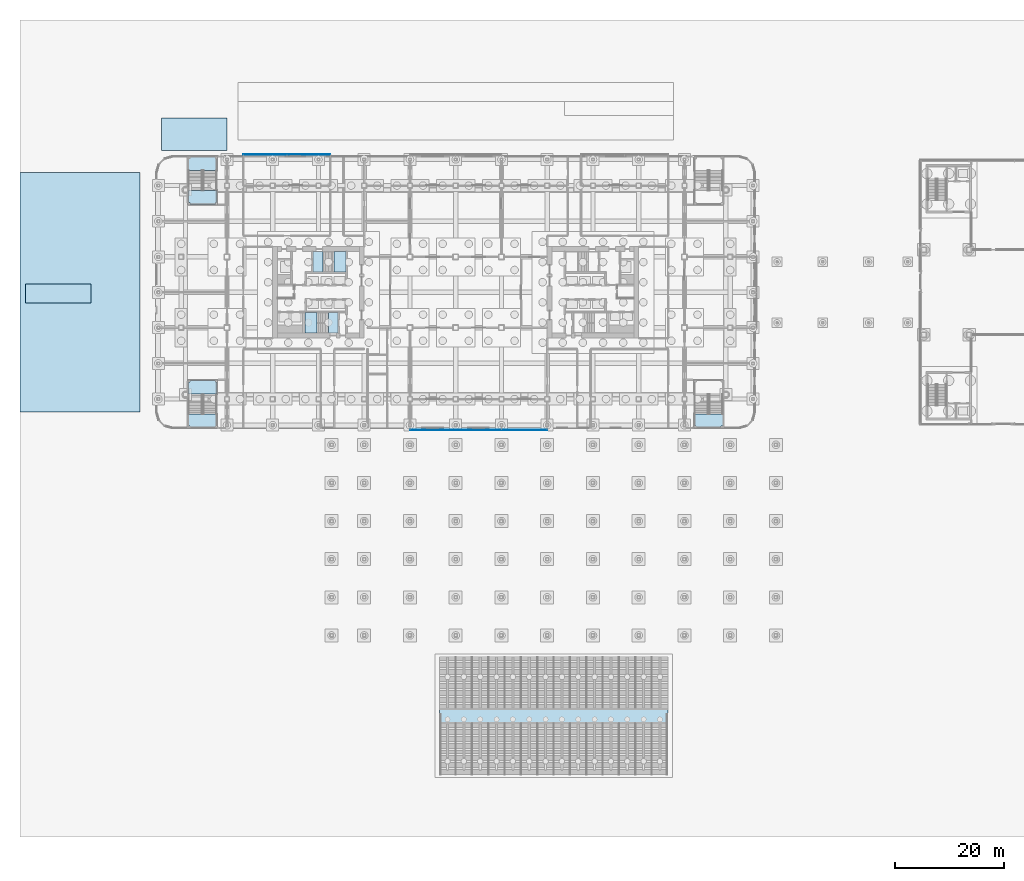
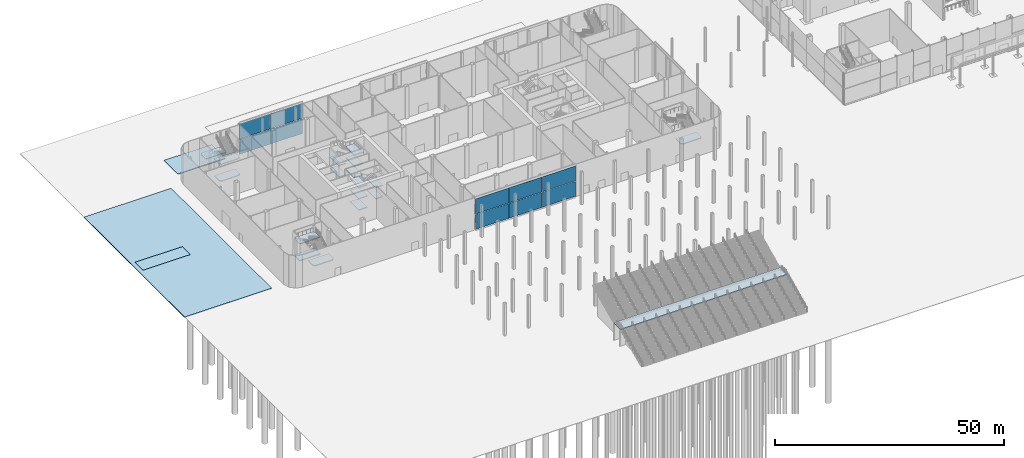
# One storey, part 30 of 113: 21 slabs, 10 plates, 8 elements without a shape of their own.
"""IFC4 building model written with IfcOpenShell, lengths in metres."""

from ifc_helpers import new_model, si_unit, direction, frame, origin, origin_2d, place, context, subcontext, project, spatial, polyline, rectangle, outline, extrude, material, layer, layer_set, type_object, element, aggregate, save


model = new_model("IFC4")

# Units and contexts
model_context = context("Model", 3, precision=1e-05, world=origin(), true_north=direction((0.0, 1.0)))
body_context = subcontext(model_context, "Body", "Model", "MODEL_VIEW")
ifc_project = project(units=[si_unit("LENGTHUNIT", "METRE"), si_unit("AREAUNIT", "SQUARE_METRE"), si_unit("VOLUMEUNIT", "CUBIC_METRE"), si_unit("PLANEANGLEUNIT", "RADIAN"), si_unit("MASSUNIT", "GRAM", prefix="KILO")], contexts=[model_context])

# Site, building, storey
site_placement = place(None, origin())
site = spatial("IfcSite", under=ifc_project, at=site_placement, CompositionType="ELEMENT")
building_placement = place(site_placement, origin())
building = spatial("IfcBuilding", under=site, at=building_placement, Name="Hakoniwa Tower and Hamabe Station Hall", CompositionType="ELEMENT")
storey_placement = place(building_placement, origin())
storey = spatial("IfcBuildingStorey", under=building, at=storey_placement, Name="L01", CompositionType="ELEMENT", Elevation=0.0)

# Stair, slabs
ifc_material_1 = material(Name="Concrete C40", Category="concrete")
stair_type_1 = type_object("IfcStairType", Name="ESCAPE STAIR 1800", PredefinedType="HALF_TURN_STAIR", material=ifc_material_1)
stair_1_placement = place(storey_placement, origin())
stair_1 = element("IfcStair", 1, at=stair_1_placement, inside=storey, type_object=stair_type_1, Name="Escape stair ST-1 L01", PredefinedType="HALF_TURN_STAIR")
ifc_material_2 = material(Name="Concrete C40", Category="concrete")
ifc_layer_1 = layer(ifc_material_2, 0.25)
ifc_layer_set_1 = layer_set([ifc_layer_1], Name="CORE STAIR LANDING 250")
slab_type_1 = type_object("IfcSlabType", Name="CORE STAIR LANDING 250", PredefinedType="LANDING", material=ifc_layer_set_1)
slab_1_placement = place(storey_placement, frame((0.0, 0.0, 1.25)))
slab_1 = element("IfcSlab", 2, at=slab_1_placement, type_object=slab_type_1, Name="ST-1 landing 1", PredefinedType="LANDING", context=body_context, shape_type="SweptSolid", body=[
    extrude(outline(polyline([(-22.320068359375, 3.75), (-20.14990234375, 3.75), (-20.14990234375, 7.5), (-22.320068359375, 7.5), (-22.320068359375, 3.75)])), origin(), (0.0, 0.0, 1.0), 0.25),
])
slab_2_placement = place(storey_placement, frame((0.0, 0.0, 2.75)))
slab_2 = element("IfcSlab", 3, at=slab_2_placement, type_object=slab_type_1, Name="ST-1 landing 2", PredefinedType="LANDING", context=body_context, shape_type="SweptSolid", body=[
    extrude(outline(polyline([(-26.199951171875, 3.75), (-24.39990234375, 3.75), (-24.39990234375, 7.5), (-26.199951171875, 7.5), (-26.199951171875, 3.75)])), origin(), (0.0, 0.0, 1.0), 0.25),
])
slab_3_placement = place(storey_placement, frame((0.0, 0.0, 4.25)))
slab_3 = element("IfcSlab", 4, at=slab_3_placement, type_object=slab_type_1, Name="ST-1 landing 3", PredefinedType="LANDING", context=body_context, shape_type="SweptSolid", body=[
    extrude(outline(polyline([(-22.320068359375, 3.75), (-20.14990234375, 3.75), (-20.14990234375, 7.5), (-22.320068359375, 7.5), (-22.320068359375, 3.75)])), origin(), (0.0, 0.0, 1.0), 0.25),
])
slab_4_placement = place(storey_placement, frame((0.0, 0.0, 5.75)))
slab_4 = element("IfcSlab", 5, at=slab_4_placement, type_object=slab_type_1, Name="ST-1 landing 4", PredefinedType="LANDING", context=body_context, shape_type="SweptSolid", body=[
    extrude(outline(polyline([(-26.199951171875, 3.75), (-24.39990234375, 3.75), (-24.39990234375, 7.5), (-26.199951171875, 7.5), (-26.199951171875, 3.75)])), origin(), (0.0, 0.0, 1.0), 0.25),
])
slab_5_placement = place(storey_placement, frame((0.0, 0.0, 7.25)))
slab_5 = element("IfcSlab", 6, at=slab_5_placement, type_object=slab_type_1, Name="ST-1 landing 5", PredefinedType="LANDING", context=body_context, shape_type="SweptSolid", body=[
    extrude(outline(polyline([(-22.320068359375, 3.75), (-20.14990234375, 3.75), (-20.14990234375, 7.5), (-22.320068359375, 7.5), (-22.320068359375, 3.75)])), origin(), (0.0, 0.0, 1.0), 0.25),
])
aggregate(stair_1, [slab_1, slab_2, slab_3, slab_4, slab_5])

stair_2_placement = place(storey_placement, origin())
stair_2 = element("IfcStair", 7, at=stair_2_placement, inside=storey, type_object=stair_type_1, Name="Escape stair ST-2 L01", PredefinedType="HALF_TURN_STAIR")
slab_6_placement = place(storey_placement, frame((0.0, 0.0, 1.25)))
slab_6 = element("IfcSlab", 8, at=slab_6_placement, type_object=slab_type_1, Name="ST-2 landing 1", PredefinedType="LANDING", context=body_context, shape_type="SweptSolid", body=[
    extrude(outline(polyline([(-25.47998046875, -7.5), (-27.64990234375, -7.5), (-27.64990234375, -3.75), (-25.47998046875, -3.75), (-25.47998046875, -7.5)])), origin(), (0.0, 0.0, 1.0), 0.25),
])
slab_7_placement = place(storey_placement, frame((0.0, 0.0, 2.75)))
slab_7 = element("IfcSlab", 9, at=slab_7_placement, type_object=slab_type_1, Name="ST-2 landing 2", PredefinedType="LANDING", context=body_context, shape_type="SweptSolid", body=[
    extrude(outline(polyline([(-21.60009765625, -7.5), (-23.39990234375, -7.5), (-23.39990234375, -3.75), (-21.60009765625, -3.75), (-21.60009765625, -7.5)])), origin(), (0.0, 0.0, 1.0), 0.25),
])
slab_8_placement = place(storey_placement, frame((0.0, 0.0, 4.25)))
slab_8 = element("IfcSlab", 10, at=slab_8_placement, type_object=slab_type_1, Name="ST-2 landing 3", PredefinedType="LANDING", context=body_context, shape_type="SweptSolid", body=[
    extrude(outline(polyline([(-25.47998046875, -7.5), (-27.64990234375, -7.5), (-27.64990234375, -3.75), (-25.47998046875, -3.75), (-25.47998046875, -7.5)])), origin(), (0.0, 0.0, 1.0), 0.25),
])
slab_9_placement = place(storey_placement, frame((0.0, 0.0, 5.75)))
slab_9 = element("IfcSlab", 11, at=slab_9_placement, type_object=slab_type_1, Name="ST-2 landing 4", PredefinedType="LANDING", context=body_context, shape_type="SweptSolid", body=[
    extrude(outline(polyline([(-21.60009765625, -7.5), (-23.39990234375, -7.5), (-23.39990234375, -3.75), (-21.60009765625, -3.75), (-21.60009765625, -7.5)])), origin(), (0.0, 0.0, 1.0), 0.25),
])
slab_10_placement = place(storey_placement, frame((0.0, 0.0, 7.25)))
slab_10 = element("IfcSlab", 12, at=slab_10_placement, type_object=slab_type_1, Name="ST-2 landing 5", PredefinedType="LANDING", context=body_context, shape_type="SweptSolid", body=[
    extrude(outline(polyline([(-25.47998046875, -7.5), (-27.64990234375, -7.5), (-27.64990234375, -3.75), (-25.47998046875, -3.75), (-25.47998046875, -7.5)])), origin(), (0.0, 0.0, 1.0), 0.25),
])
aggregate(stair_2, [slab_6, slab_7, slab_8, slab_9, slab_10])

# Curtain wall, plates
ifc_material_3 = material(Name="Dark low-e laminated glass", Category="glass")
ifc_layer_2 = layer(ifc_material_3, 0.199951171875)
ifc_layer_set_2 = layer_set([ifc_layer_2], Name="CW-3 PODIUM LOBBY")
curtain_wall_type = type_object("IfcCurtainWallType", Name="CW-3 PODIUM LOBBY", PredefinedType="NOTDEFINED", material=ifc_layer_set_2)
curtain_wall_1_placement = place(storey_placement, origin())
curtain_wall_1 = element("IfcCurtainWall", 13, at=curtain_wall_1_placement, inside=storey, type_object=curtain_wall_type, Name="Podium curtain wall L01 north 1", PredefinedType="NOTDEFINED")
ifc_material_4 = material(Name="Dark low-e laminated glass", Category="glass")
ifc_layer_3 = layer(ifc_material_4, 0.0380859375)
ifc_layer_set_3 = layer_set([ifc_layer_3], Name="CW-3 LOBBY GLASS UNIT")
plate_type = type_object("IfcPlateType", Name="CW-3 LOBBY GLASS UNIT", PredefinedType="CURTAIN_PANEL", material=ifc_layer_set_3)
plate_1_placement = place(storey_placement, frame((-27.0, 25.285888671875, 0.35009765625), z_axis=(0.0, 0.0, 1.0), x_axis=(-1.0, 0.0, 0.0)))
plate_1 = element("IfcPlate", 14, at=plate_1_placement, type_object=plate_type, Name="CW-3 glass unit", PredefinedType="CURTAIN_PANEL", context=body_context, shape_type="SweptSolid", body=[
    extrude(rectangle(XDim=7.97998046875, YDim=0.0380859375, at=origin_2d()), origin(), (0.0, 0.0, 1.0), 3.989990234375),
])
plate_2_placement = place(storey_placement, frame((-27.0, 25.285888671875, 4.4599609375), z_axis=(0.0, 0.0, 1.0), x_axis=(-1.0, 0.0, 0.0)))
plate_2 = element("IfcPlate", 15, at=plate_2_placement, type_object=plate_type, Name="CW-3 glass unit", PredefinedType="CURTAIN_PANEL", context=body_context, shape_type="SweptSolid", body=[
    extrude(rectangle(XDim=7.97998046875, YDim=0.0380859375, at=origin_2d()), origin(), (0.0, 0.0, 1.0), 3.989990234375),
])
plate_3_placement = place(storey_placement, frame((-35.0, 25.285888671875, 0.35009765625), z_axis=(0.0, 0.0, 1.0), x_axis=(-1.0, 0.0, 0.0)))
plate_3 = element("IfcPlate", 16, at=plate_3_placement, type_object=plate_type, Name="CW-3 glass unit", PredefinedType="CURTAIN_PANEL", context=body_context, shape_type="SweptSolid", body=[
    extrude(rectangle(XDim=7.97998046875, YDim=0.0380859375, at=origin_2d()), origin(), (0.0, 0.0, 1.0), 3.989990234375),
])
plate_4_placement = place(storey_placement, frame((-35.0, 25.285888671875, 4.4599609375), z_axis=(0.0, 0.0, 1.0), x_axis=(-1.0, 0.0, 0.0)))
plate_4 = element("IfcPlate", 17, at=plate_4_placement, type_object=plate_type, Name="CW-3 glass unit", PredefinedType="CURTAIN_PANEL", context=body_context, shape_type="SweptSolid", body=[
    extrude(rectangle(XDim=7.97998046875, YDim=0.0380859375, at=origin_2d()), origin(), (0.0, 0.0, 1.0), 3.989990234375),
])
aggregate(curtain_wall_1, [plate_1, plate_2, plate_3, plate_4])

curtain_wall_2_placement = place(storey_placement, origin())
curtain_wall_2 = element("IfcCurtainWall", 18, at=curtain_wall_2_placement, inside=storey, type_object=curtain_wall_type, Name="Podium curtain wall L01 south 4", PredefinedType="NOTDEFINED")
plate_5_placement = place(storey_placement, frame((-4.199951171875, -25.285888671875, 0.35009765625), z_axis=(0.0, 0.0, 1.0), x_axis=(1.0, 0.0, 0.0)))
plate_5 = element("IfcPlate", 19, at=plate_5_placement, type_object=plate_type, Name="CW-3 glass unit", PredefinedType="CURTAIN_PANEL", context=body_context, shape_type="SweptSolid", body=[
    extrude(rectangle(XDim=8.3798828125, YDim=0.0380859375, at=origin_2d()), origin(), (0.0, 0.0, 1.0), 3.989990234375),
])
plate_6_placement = place(storey_placement, frame((-4.199951171875, -25.285888671875, 4.4599609375), z_axis=(0.0, 0.0, 1.0), x_axis=(1.0, 0.0, 0.0)))
plate_6 = element("IfcPlate", 20, at=plate_6_placement, type_object=plate_type, Name="CW-3 glass unit", PredefinedType="CURTAIN_PANEL", context=body_context, shape_type="SweptSolid", body=[
    extrude(rectangle(XDim=8.3798828125, YDim=0.0380859375, at=origin_2d()), origin(), (0.0, 0.0, 1.0), 3.989990234375),
])
plate_7_placement = place(storey_placement, frame((4.199951171875, -25.285888671875, 0.35009765625), z_axis=(0.0, 0.0, 1.0), x_axis=(1.0, 0.0, 0.0)))
plate_7 = element("IfcPlate", 21, at=plate_7_placement, type_object=plate_type, Name="CW-3 glass unit", PredefinedType="CURTAIN_PANEL", context=body_context, shape_type="SweptSolid", body=[
    extrude(rectangle(XDim=8.3798828125, YDim=0.0380859375, at=origin_2d()), origin(), (0.0, 0.0, 1.0), 3.989990234375),
])
plate_8_placement = place(storey_placement, frame((4.199951171875, -25.285888671875, 4.4599609375), z_axis=(0.0, 0.0, 1.0), x_axis=(1.0, 0.0, 0.0)))
plate_8 = element("IfcPlate", 22, at=plate_8_placement, type_object=plate_type, Name="CW-3 glass unit", PredefinedType="CURTAIN_PANEL", context=body_context, shape_type="SweptSolid", body=[
    extrude(rectangle(XDim=8.3798828125, YDim=0.0380859375, at=origin_2d()), origin(), (0.0, 0.0, 1.0), 3.989990234375),
])
plate_9_placement = place(storey_placement, frame((12.60009765625, -25.285888671875, 0.35009765625), z_axis=(0.0, 0.0, 1.0), x_axis=(1.0, 0.0, 0.0)))
plate_9 = element("IfcPlate", 23, at=plate_9_placement, type_object=plate_type, Name="CW-3 glass unit", PredefinedType="CURTAIN_PANEL", context=body_context, shape_type="SweptSolid", body=[
    extrude(rectangle(XDim=8.3798828125, YDim=0.0380859375, at=origin_2d()), origin(), (0.0, 0.0, 1.0), 3.989990234375),
])
plate_10_placement = place(storey_placement, frame((12.60009765625, -25.285888671875, 4.4599609375), z_axis=(0.0, 0.0, 1.0), x_axis=(1.0, 0.0, 0.0)))
plate_10 = element("IfcPlate", 24, at=plate_10_placement, type_object=plate_type, Name="CW-3 glass unit", PredefinedType="CURTAIN_PANEL", context=body_context, shape_type="SweptSolid", body=[
    extrude(rectangle(XDim=8.3798828125, YDim=0.0380859375, at=origin_2d()), origin(), (0.0, 0.0, 1.0), 3.989990234375),
])
aggregate(curtain_wall_2, [plate_5, plate_6, plate_7, plate_8, plate_9, plate_10])

# Slabs
ifc_material_5 = material(Name="Concrete C30", Category="concrete")
ifc_layer_4 = layer(ifc_material_5, 0.25)
ifc_layer_set_4 = layer_set([ifc_layer_4], Name="SITE FIRE STAGING PAVING 250")
slab_type_2 = type_object("IfcSlabType", Name="SITE FIRE STAGING PAVING 250", PredefinedType="USERDEFINED", material=ifc_layer_set_4)
slab_11_placement = place(storey_placement, frame((0.0, 0.0, -0.25)))
element("IfcSlab", 25, at=slab_11_placement, inside=storey, type_object=slab_type_2, Name="Fire Staging", ObjectType="PAVING", PredefinedType="USERDEFINED", context=body_context, shape_type="SweptSolid", body=[
    extrude(outline(polyline([(-54.0, 32.0), (-54.0, 26.0), (-42.0, 26.0), (-42.0, 32.0), (-54.0, 32.0)])), origin(), (0.0, 0.0, 1.0), 0.25),
])
ifc_material_6 = material(Name="Concrete C30", Category="concrete")
ifc_layer_5 = layer(ifc_material_6, 0.25)
ifc_layer_set_5 = layer_set([ifc_layer_5], Name="SITE LOADING APRON 250")
slab_type_3 = type_object("IfcSlabType", Name="SITE LOADING APRON 250", PredefinedType="USERDEFINED", material=ifc_layer_set_5)
slab_12_placement = place(storey_placement, frame((0.0, 0.0, -0.25)))
element("IfcSlab", 26, at=slab_12_placement, inside=storey, type_object=slab_type_3, Name="Loading Apron", ObjectType="PAVING", PredefinedType="USERDEFINED", context=body_context, shape_type="SweptSolid", body=[
    extrude(outline(polyline([(-79.0, 1.5), (-79.0, -2.0), (-67.0, -2.0), (-67.0, 1.5), (-79.0, 1.5)])), origin(), (0.0, 0.0, 1.0), 0.25),
])
ifc_material_7 = material(Name="Asphalt on crushed stone base", Category="masonry")
ifc_layer_6 = layer(ifc_material_7, 0.199951171875)
ifc_layer_set_6 = layer_set([ifc_layer_6], Name="SITE ROAD PAVING 200")
slab_type_4 = type_object("IfcSlabType", Name="SITE ROAD PAVING 200", PredefinedType="USERDEFINED", material=ifc_layer_set_6)
slab_13_placement = place(storey_placement, frame((0.0, 0.0, -0.199951171875)))
element("IfcSlab", 27, at=slab_13_placement, inside=storey, type_object=slab_type_4, Name="Service Yard", ObjectType="PAVING", PredefinedType="USERDEFINED", context=body_context, shape_type="SweptSolid", body=[
    extrude(outline(polyline([(-58.0, -22.0), (-58.0, 22.0), (-80.0, 22.0), (-80.0, -22.0), (-58.0, -22.0)]), holes=[polyline([(-79.0, 1.5), (-67.0, 1.5), (-67.0, -2.0), (-79.0, -2.0), (-79.0, 1.5)])]), origin(), (0.0, 0.0, 1.0), 0.199951171875),
])

# Stair, slabs
ifc_material_8 = material(Name="Concrete C40", Category="concrete")
stair_type_2 = type_object("IfcStairType", Name="STAIR 2500 15X150", PredefinedType="HALF_TURN_STAIR", material=ifc_material_8)
stair_3_placement = place(storey_placement, origin())
stair_3 = element("IfcStair", 28, at=stair_3_placement, inside=storey, type_object=stair_type_2, Name="Escape stair PS1", PredefinedType="HALF_TURN_STAIR")
ifc_material_9 = material(Name="Concrete C40", Category="concrete")
ifc_layer_7 = layer(ifc_material_9, 0.25)
ifc_layer_set_7 = layer_set([ifc_layer_7], Name="STAIR LANDING 250")
slab_type_5 = type_object("IfcSlabType", Name="STAIR LANDING 250", PredefinedType="LANDING", material=ifc_layer_set_7)
slab_14_placement = place(storey_placement, frame((0.0, 0.0, 2.0)))
slab_14 = element("IfcSlab", 29, at=slab_14_placement, type_object=slab_type_5, Name="PS1 landing 1", PredefinedType="LANDING", context=body_context, shape_type="SweptSolid", body=[
    extrude(outline(polyline([(-49.050048828125, 18.7099609375), (-49.050048828125, 16.449951171875), (-48.75, 16.449951171875), (-48.75, 16.14990234375), (-44.14990234375, 16.14990234375), (-44.14990234375, 16.449951171875), (-43.85009765625, 16.449951171875), (-43.85009765625, 18.7099609375), (-49.050048828125, 18.7099609375)])), origin(), (0.0, 0.0, 1.0), 0.25),
])
slab_15_placement = place(storey_placement, frame((0.0, 0.0, 4.25)))
slab_15 = element("IfcSlab", 30, at=slab_15_placement, type_object=slab_type_5, Name="PS1 landing 2", PredefinedType="LANDING", context=body_context, shape_type="SweptSolid", body=[
    extrude(outline(polyline([(-49.050048828125, 24.550048828125), (-49.050048828125, 22.35009765625), (-43.85009765625, 22.35009765625), (-43.85009765625, 24.550048828125), (-44.14990234375, 24.550048828125), (-44.14990234375, 24.85009765625), (-48.75, 24.85009765625), (-48.75, 24.550048828125), (-49.050048828125, 24.550048828125)])), origin(), (0.0, 0.0, 1.0), 0.25),
])
slab_16_placement = place(storey_placement, frame((0.0, 0.0, 6.5)))
slab_16 = element("IfcSlab", 31, at=slab_16_placement, type_object=slab_type_5, Name="PS1 landing 3", PredefinedType="LANDING", context=body_context, shape_type="SweptSolid", body=[
    extrude(outline(polyline([(-49.050048828125, 18.7099609375), (-49.050048828125, 16.449951171875), (-48.75, 16.449951171875), (-48.75, 16.14990234375), (-44.14990234375, 16.14990234375), (-44.14990234375, 16.449951171875), (-43.85009765625, 16.449951171875), (-43.85009765625, 18.7099609375), (-49.050048828125, 18.7099609375)])), origin(), (0.0, 0.0, 1.0), 0.25),
])
aggregate(stair_3, [slab_14, slab_15, slab_16])

# Stair, slab
stair_4_placement = place(storey_placement, origin())
stair_4 = element("IfcStair", 32, at=stair_4_placement, inside=storey, type_object=stair_type_2, Name="Escape stair PS3", PredefinedType="HALF_TURN_STAIR")
slab_17_placement = place(storey_placement, frame((0.0, 0.0, 4.25)))
slab_17 = element("IfcSlab", 33, at=slab_17_placement, type_object=slab_type_5, Name="PS3 landing 2", PredefinedType="LANDING", context=body_context, shape_type="SweptSolid", body=[
    extrude(outline(polyline([(49.050048828125, -24.550048828125), (49.050048828125, -22.35009765625), (43.85009765625, -22.35009765625), (43.85009765625, -24.550048828125), (44.14990234375, -24.550048828125), (44.14990234375, -24.85009765625), (48.75, -24.85009765625), (48.75, -24.550048828125), (49.050048828125, -24.550048828125)])), origin(), (0.0, 0.0, 1.0), 0.25),
])
aggregate(stair_4, [slab_17])

# Stair, slabs
stair_5_placement = place(storey_placement, origin())
stair_5 = element("IfcStair", 34, at=stair_5_placement, inside=storey, type_object=stair_type_2, Name="Escape stair PS4", PredefinedType="HALF_TURN_STAIR")
slab_18_placement = place(storey_placement, frame((0.0, 0.0, 2.0)))
slab_18 = element("IfcSlab", 35, at=slab_18_placement, type_object=slab_type_5, Name="PS4 landing 1", PredefinedType="LANDING", context=body_context, shape_type="SweptSolid", body=[
    extrude(outline(polyline([(-43.85009765625, -18.7099609375), (-43.85009765625, -16.449951171875), (-44.14990234375, -16.449951171875), (-44.14990234375, -16.14990234375), (-48.75, -16.14990234375), (-48.75, -16.449951171875), (-49.050048828125, -16.449951171875), (-49.050048828125, -18.7099609375), (-43.85009765625, -18.7099609375)])), origin(), (0.0, 0.0, 1.0), 0.25),
])
slab_19_placement = place(storey_placement, frame((0.0, 0.0, 4.25)))
slab_19 = element("IfcSlab", 36, at=slab_19_placement, type_object=slab_type_5, Name="PS4 landing 2", PredefinedType="LANDING", context=body_context, shape_type="SweptSolid", body=[
    extrude(outline(polyline([(-43.85009765625, -24.550048828125), (-43.85009765625, -22.35009765625), (-49.050048828125, -22.35009765625), (-49.050048828125, -24.550048828125), (-48.75, -24.550048828125), (-48.75, -24.85009765625), (-44.14990234375, -24.85009765625), (-44.14990234375, -24.550048828125), (-43.85009765625, -24.550048828125)])), origin(), (0.0, 0.0, 1.0), 0.25),
])
slab_20_placement = place(storey_placement, frame((0.0, 0.0, 6.5)))
slab_20 = element("IfcSlab", 37, at=slab_20_placement, type_object=slab_type_5, Name="PS4 landing 3", PredefinedType="LANDING", context=body_context, shape_type="SweptSolid", body=[
    extrude(outline(polyline([(-43.85009765625, -18.7099609375), (-43.85009765625, -16.449951171875), (-44.14990234375, -16.449951171875), (-44.14990234375, -16.14990234375), (-48.75, -16.14990234375), (-48.75, -16.449951171875), (-49.050048828125, -16.449951171875), (-49.050048828125, -18.7099609375), (-43.85009765625, -18.7099609375)])), origin(), (0.0, 0.0, 1.0), 0.25),
])
aggregate(stair_5, [slab_18, slab_19, slab_20])

# Stair, slab
ifc_material_10 = material(Name="Concrete C40", Category="concrete")
stair_type_3 = type_object("IfcStairType", Name="STREET STAIR 42000 2X30X150", PredefinedType="STRAIGHT_RUN_STAIR", material=ifc_material_10)
stair_6_placement = place(storey_placement, origin())
stair_6 = element("IfcStair", 38, at=stair_6_placement, inside=storey, type_object=stair_type_3, Name="Broad street stairs", PredefinedType="STRAIGHT_RUN_STAIR")
ifc_material_11 = material(Name="Concrete C36", Category="concrete")
ifc_layer_8 = layer(ifc_material_11, 0.300048828125)
ifc_layer_set_8 = layer_set([ifc_layer_8], Name="STREET STAIR LANDING 300")
slab_type_6 = type_object("IfcSlabType", Name="STREET STAIR LANDING 300", PredefinedType="LANDING", material=ifc_layer_set_8)
slab_21_placement = place(storey_placement, frame((0.0, 0.0, 4.199951171875)))
slab_21 = element("IfcSlab", 39, at=slab_21_placement, type_object=slab_type_6, Name="BS1 landing 1", PredefinedType="LANDING", context=body_context, shape_type="SweptSolid", body=[
    extrude(outline(polyline([(-3.0, -79.280029296875), (39.0, -79.280029296875), (39.0, -76.280029296875), (-3.0, -76.280029296875), (-3.0, -79.280029296875)])), origin(), (0.0, 0.0, 1.0), 0.300048828125),
])
aggregate(stair_6, [slab_21])

save(model, "model.ifc")
